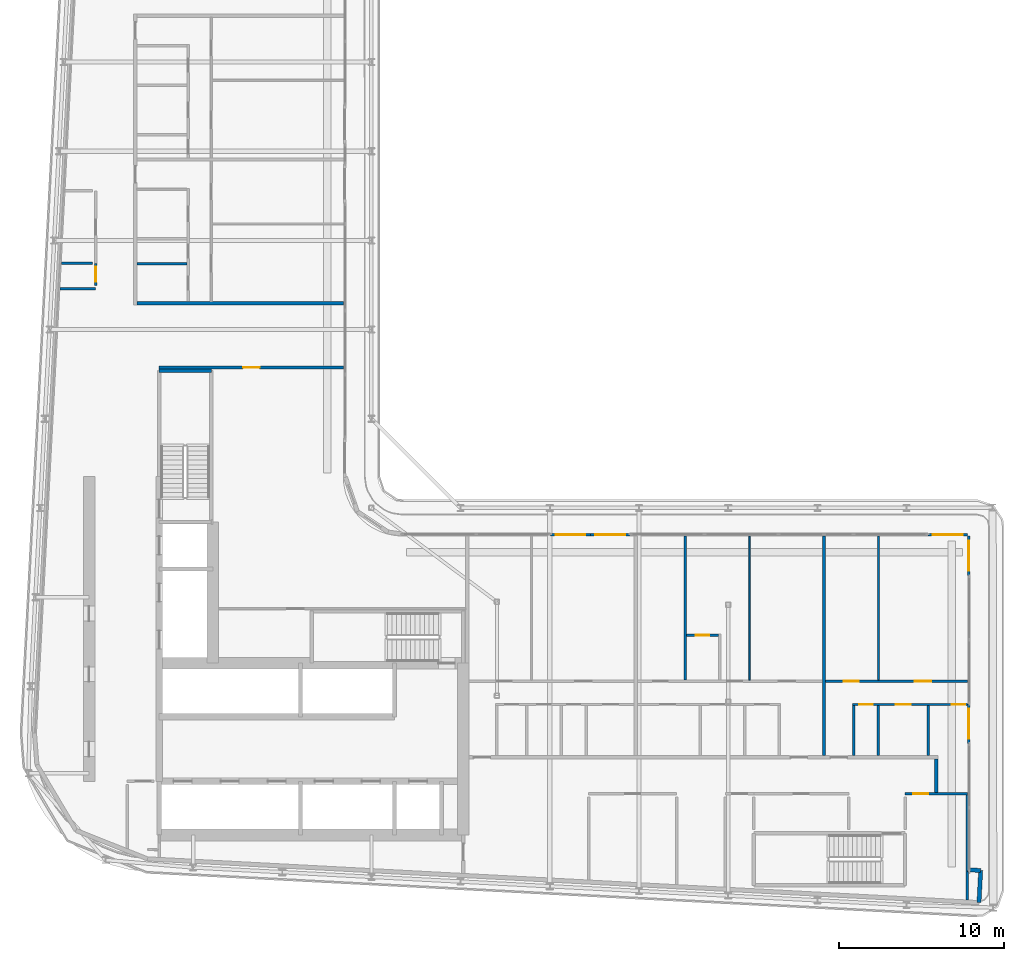
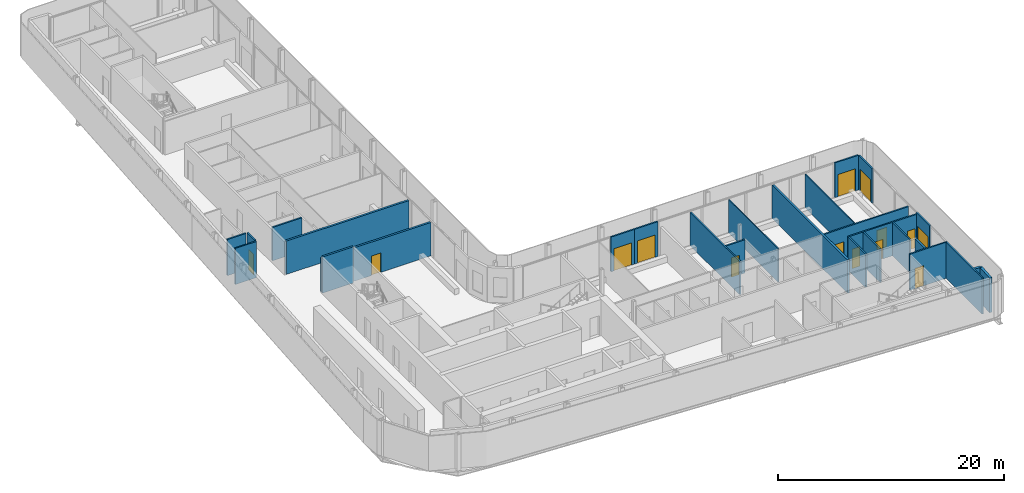
# One storey, part 13 of 23: 27 walls, 14 doors, 14 openings.
"""IFC4 building model written with IfcOpenShell, lengths in metres."""

from ifc_helpers import new_model, si_unit, direction, frame, frame_2d, origin, place, context, subcontext, project, spatial, rectangle, extrude, source, transform, mapped, material, layer, layer_set, type_object, element, fill, save


model = new_model("IFC4")

# Units and contexts
model_context = context("Model", 3, precision=1e-05, world=origin(), true_north=direction((0.0, 1.0)))
body_context = subcontext(model_context, "Body", "Model", "MODEL_VIEW")
ifc_project = project(units=[si_unit("LENGTHUNIT", "METRE"), si_unit("AREAUNIT", "SQUARE_METRE"), si_unit("VOLUMEUNIT", "CUBIC_METRE"), si_unit("PLANEANGLEUNIT", "RADIAN"), si_unit("MASSUNIT", "GRAM", prefix="KILO")], contexts=[model_context])

# Site, building, storey
site_placement = place(None, origin())
site = spatial("IfcSite", under=ifc_project, at=site_placement, CompositionType="ELEMENT")
building_placement = place(site_placement, origin())
building = spatial("IfcBuilding", under=site, at=building_placement, Name="Kheshtan School and Residences Tower", CompositionType="ELEMENT")
storey_placement = place(building_placement, frame((0.0, 0.0, 247.39990234375)))
storey = spatial("IfcBuildingStorey", under=building, at=storey_placement, Name="L58", CompositionType="ELEMENT", Elevation=247.39990234375)

# Wall
ifc_material_1 = material(Name="Gypsum board on steel studs with fire boards", Category="steel")
ifc_layer_1 = layer(ifc_material_1, 0.199951171875)
ifc_layer_set_1 = layer_set([ifc_layer_1], Name="Corridor wall 200")
wall_type_1 = type_object("IfcWallType", Name="Corridor wall 200", PredefinedType="PARTITIONING", material=ifc_layer_set_1)
wall_1_placement = place(storey_placement, frame((33.39990234375, 58.0, 0.0), z_axis=(0.0, 0.0, 1.0), x_axis=(1.0, 0.0, 0.0)))
element("IfcWall", 1, at=wall_1_placement, inside=storey, type_object=wall_type_1, Name="Partition L58-006", PredefinedType="PARTITIONING", context=body_context, shape_type="SweptSolid", body=[
    extrude(rectangle(XDim=12.5, YDim=0.199951171875, at=frame_2d((6.25, 0.0))), origin(), (0.0, 0.0, 1.0), 3.60009765625),
])

# Wall, opening, door
wall_2_placement = place(storey_placement, frame((34.75, 54.10009765625, 0.0), z_axis=(0.0, 0.0, 1.0), x_axis=(1.0, 0.0, 0.0)))
wall_2 = element("IfcWall", 2, at=wall_2_placement, inside=storey, type_object=wall_type_1, Name="Partition L58-019", PredefinedType="PARTITIONING", context=body_context, shape_type="SweptSolid", body=[
    extrude(rectangle(XDim=11.14990234375, YDim=0.199951171875, at=frame_2d((5.574951171875, 0.0))), origin(), (0.0, 0.0, 1.0), 3.60009765625),
])
opening_1_placement = place(wall_2_placement, frame((5.074951171875, 0.0, 0.0)))
opening_1 = element("IfcOpeningElement", 3, at=opening_1_placement, cuts=wall_2, Name="Opening D58-042", PredefinedType="OPENING", context=body_context, shape_type="SweptSolid", body=[
    extrude(rectangle(XDim=1.0, YDim=2.10009765625, at=frame_2d((0.5, 1.050048828125))), frame((0.0, 0.10986328125, 0.0), z_axis=(0.0, -1.0, 0.0), x_axis=(1.0, 0.0, 0.0)), (0.0, 0.0, 1.0), 0.219970703125),
])
ifc_material_2 = material(Name="Steel-framed fire-resisting door leaf", Category="steel")
door_type_1 = type_object("IfcDoorType", Name="Fire door FD60 1000 x 2100", OperationType="SINGLE_SWING_LEFT", PredefinedType="DOOR", material=ifc_material_2)
shared_shape_1 = source(origin(), body_context, "Body", "SweptSolid", [
    extrude(rectangle(XDim=1.0, YDim=2.10009765625, at=frame_2d((0.5, 1.050048828125))), frame((0.0, 0.02490234375, 0.0), z_axis=(0.0, -1.0, 0.0), x_axis=(1.0, 0.0, 0.0)), (0.0, 0.0, 1.0), 0.050048828125),
])
door_1_placement = place(opening_1_placement, origin())
door_1 = element("IfcDoor", 4, at=door_1_placement, inside=storey, type_object=door_type_1, Name="Door D58-042", OperationType="SINGLE_SWING_RIGHT", OverallHeight=2.10009765625, OverallWidth=1.0, PredefinedType="DOOR", context=body_context, shape_type="MappedRepresentation", body=[
    mapped(shared_shape_1, transform((0.0, 0.0, 0.0), x_axis=(1.0, 0.0, 0.0), y_axis=(0.0, 1.0, 0.0), z_axis=(0.0, 0.0, 1.0), scale=1.0)),
])
fill(opening_1, door_1)

# Walls
wall_3_placement = place(storey_placement, frame((81.800048828125, 28.3740234375, 0.0), z_axis=(0.0, 0.0, 1.0), x_axis=(0.0, 1.0, 0.0)))
element("IfcWall", 5, at=wall_3_placement, inside=storey, type_object=wall_type_1, Name="Partition L58-058", PredefinedType="PARTITIONING", context=body_context, shape_type="SweptSolid", body=[
    extrude(rectangle(XDim=2.02587890625, YDim=0.199951171875, at=frame_2d((1.012939453125, 0.0))), origin(), (0.0, 0.0, 1.0), 3.60009765625),
])
ifc_material_3 = material(Name="Concrete C40/50 with ceramic cladding and mineral wool insulation", Category="concrete")
ifc_layer_2 = layer(ifc_material_3, 0.25)
ifc_layer_set_2 = layer_set([ifc_layer_2], Name="External wall 250 ceramic clad")
wall_type_2 = type_object("IfcWallType", Name="External wall 250 ceramic clad", PredefinedType="SOLIDWALL", material=ifc_layer_set_2)
wall_4_placement = place(storey_placement, frame((83.70703125, 23.69189453125, 0.0), z_axis=(0.0, 0.0, 1.0), x_axis=(0.998561284263, -0.053622398031, 0.0)))
element("IfcWall", 6, at=wall_4_placement, inside=storey, type_object=wall_type_2, Name="External wall L58 14", PredefinedType="SOLIDWALL", context=body_context, shape_type="SweptSolid", body=[
    extrude(rectangle(XDim=0.783203125, YDim=0.25, at=frame_2d((0.3916015625, 0.0))), origin(), (0.0, 0.0, 1.0), 3.75),
])
wall_5_placement = place(storey_placement, frame((84.489013671875, 23.64990234375, 0.0), z_axis=(0.0, 0.0, 1.0), x_axis=(-0.052841433274, -0.998602915542, 0.0)))
element("IfcWall", 7, at=wall_5_placement, inside=storey, type_object=wall_type_2, Name="External wall L58 15", PredefinedType="SOLIDWALL", context=body_context, shape_type="SweptSolid", body=[
    extrude(rectangle(XDim=1.94970703125, YDim=0.25, at=frame_2d((0.974853515625, 0.0))), origin(), (0.0, 0.0, 1.0), 3.75),
])

# Wall, opening, door
ifc_material_4 = material(Name="Aluminium frame wall with insulated infill", Category="aluminium")
ifc_layer_3 = layer(ifc_material_4, 0.14990234375)
ifc_layer_set_3 = layer_set([ifc_layer_3], Name="Glazing frame wall 150")
wall_type_3 = type_object("IfcWallType", Name="Glazing frame wall 150", PredefinedType="SOLIDWALL", material=ifc_layer_set_3)
wall_6_placement = place(storey_placement, frame((58.452880859375, 43.97509765625, 0.0), z_axis=(0.0, 0.0, 1.0), x_axis=(1.0, 0.0, 0.0)))
wall_6 = element("IfcWall", 8, at=wall_6_placement, inside=storey, type_object=wall_type_3, Name="Balcony door wall L58 12.1", PredefinedType="SOLIDWALL", context=body_context, shape_type="SweptSolid", body=[
    extrude(rectangle(XDim=2.400146484375, YDim=0.14990234375, at=frame_2d((1.2001953125, 0.0))), origin(), (0.0, 0.0, 1.0), 3.75),
])
opening_2_placement = place(wall_6_placement, frame((0.300048828125, 0.0, 0.0)))
opening_2 = element("IfcOpeningElement", 9, at=opening_2_placement, cuts=wall_6, Name="Opening BD", PredefinedType="OPENING", context=body_context, shape_type="SweptSolid", body=[
    extrude(rectangle(XDim=1.800048828125, YDim=2.39990234375, at=frame_2d((0.89990234375, 1.199951171875))), frame((0.0, 0.0849609375, 0.0), z_axis=(0.0, -1.0, 0.0), x_axis=(1.0, 0.0, 0.0)), (0.0, 0.0, 1.0), 0.169921875),
])
ifc_material_5 = material(Name="Clear low-e glass in thermally broken aluminium frame", Category="aluminium")
door_type_2 = type_object("IfcDoorType", Name="Balcony sliding door", OperationType="SLIDING_TO_LEFT", PredefinedType="DOOR", material=ifc_material_5)
shared_shape_2 = source(origin(), body_context, "Body", "SweptSolid", [
    extrude(rectangle(XDim=1.800048828125, YDim=2.39990234375, at=frame_2d((0.89990234375, 1.199951171875))), frame((0.0, 0.02490234375, 0.0), z_axis=(0.0, -1.0, 0.0), x_axis=(1.0, 0.0, 0.0)), (0.0, 0.0, 1.0), 0.050048828125),
])
door_2_placement = place(opening_2_placement, origin())
door_2 = element("IfcDoor", 10, at=door_2_placement, inside=storey, type_object=door_type_2, Name="Balcony door L58 12.1", OperationType="SLIDING_TO_LEFT", OverallHeight=2.39990234375, OverallWidth=1.800048828125, PredefinedType="DOOR", context=body_context, shape_type="MappedRepresentation", body=[
    mapped(shared_shape_2, transform((0.0, 0.0, 0.0), x_axis=(1.0, 0.0, 0.0), y_axis=(0.0, 1.0, 0.0), z_axis=(0.0, 0.0, 1.0), scale=1.0)),
])
fill(opening_2, door_2)

wall_7_placement = place(storey_placement, frame((60.85302734375, 43.97509765625, 0.0), z_axis=(0.0, 0.0, 1.0), x_axis=(1.0, 0.0, 0.0)))
wall_7 = element("IfcWall", 11, at=wall_7_placement, inside=storey, type_object=wall_type_3, Name="Balcony door wall L58 12.2", PredefinedType="SOLIDWALL", context=body_context, shape_type="SweptSolid", body=[
    extrude(rectangle(XDim=2.39990234375, YDim=0.14990234375, at=frame_2d((1.199951171875, 0.0))), origin(), (0.0, 0.0, 1.0), 3.75),
])
opening_3_placement = place(wall_7_placement, frame((0.300048828125, 0.0, 0.0)))
opening_3 = element("IfcOpeningElement", 12, at=opening_3_placement, cuts=wall_7, Name="Opening BD", PredefinedType="OPENING", context=body_context, shape_type="SweptSolid", body=[
    extrude(rectangle(XDim=1.800048828125, YDim=2.39990234375, at=frame_2d((0.89990234375, 1.199951171875))), frame((0.0, 0.0849609375, 0.0), z_axis=(0.0, -1.0, 0.0), x_axis=(1.0, 0.0, 0.0)), (0.0, 0.0, 1.0), 0.169921875),
])
door_3_placement = place(opening_3_placement, origin())
door_3 = element("IfcDoor", 13, at=door_3_placement, inside=storey, type_object=door_type_2, Name="Balcony door L58 12.2", OperationType="SLIDING_TO_LEFT", OverallHeight=2.39990234375, OverallWidth=1.800048828125, PredefinedType="DOOR", context=body_context, shape_type="MappedRepresentation", body=[
    mapped(shared_shape_2, transform((0.0, 0.0, 0.0), x_axis=(1.0, 0.0, 0.0), y_axis=(0.0, 1.0, 0.0), z_axis=(0.0, 0.0, 1.0), scale=1.0)),
])
fill(opening_3, door_3)

wall_8_placement = place(storey_placement, frame((81.300048828125, 43.97509765625, 0.0), z_axis=(0.0, 0.0, 1.0), x_axis=(1.0, 0.0, 0.0)))
wall_8 = element("IfcWall", 14, at=wall_8_placement, inside=storey, type_object=wall_type_3, Name="Balcony door wall L58 12.3", PredefinedType="SOLIDWALL", context=body_context, shape_type="SweptSolid", body=[
    extrude(rectangle(XDim=2.39990234375, YDim=0.14990234375, at=frame_2d((1.199951171875, 0.0))), origin(), (0.0, 0.0, 1.0), 3.75),
])
opening_4_placement = place(wall_8_placement, frame((0.300048828125, 0.0, 0.0)))
opening_4 = element("IfcOpeningElement", 15, at=opening_4_placement, cuts=wall_8, Name="Opening BD", PredefinedType="OPENING", context=body_context, shape_type="SweptSolid", body=[
    extrude(rectangle(XDim=1.800048828125, YDim=2.39990234375, at=frame_2d((0.89990234375, 1.199951171875))), frame((0.0, 0.0849609375, 0.0), z_axis=(0.0, -1.0, 0.0), x_axis=(1.0, 0.0, 0.0)), (0.0, 0.0, 1.0), 0.169921875),
])
door_4_placement = place(opening_4_placement, origin())
door_4 = element("IfcDoor", 16, at=door_4_placement, inside=storey, type_object=door_type_2, Name="Balcony door L58 12.3", OperationType="SLIDING_TO_LEFT", OverallHeight=2.39990234375, OverallWidth=1.800048828125, PredefinedType="DOOR", context=body_context, shape_type="MappedRepresentation", body=[
    mapped(shared_shape_2, transform((0.0, 0.0, 0.0), x_axis=(1.0, 0.0, 0.0), y_axis=(0.0, 1.0, 0.0), z_axis=(0.0, 0.0, 1.0), scale=1.0)),
])
fill(opening_4, door_4)

wall_9_placement = place(storey_placement, frame((83.77490234375, 43.89990234375, 0.0), z_axis=(0.0, 0.0, 1.0), x_axis=(0.0, -1.0, 0.0)))
wall_9 = element("IfcWall", 17, at=wall_9_placement, inside=storey, type_object=wall_type_3, Name="Balcony door wall L58 13.1", PredefinedType="SOLIDWALL", context=body_context, shape_type="SweptSolid", body=[
    extrude(rectangle(XDim=2.39990234375, YDim=0.14990234375, at=frame_2d((1.199951171875, 0.0))), origin(), (0.0, 0.0, 1.0), 3.75),
])
opening_5_placement = place(wall_9_placement, frame((0.300048828125, 0.0, 0.0)))
opening_5 = element("IfcOpeningElement", 18, at=opening_5_placement, cuts=wall_9, Name="Opening BD", PredefinedType="OPENING", context=body_context, shape_type="SweptSolid", body=[
    extrude(rectangle(XDim=1.800048828125, YDim=2.39990234375, at=frame_2d((0.89990234375, 1.199951171875))), frame((0.0, 0.0849609375, 0.0), z_axis=(0.0, -1.0, 0.0), x_axis=(1.0, 0.0, 0.0)), (0.0, 0.0, 1.0), 0.169921875),
])
door_5_placement = place(opening_5_placement, origin())
door_5 = element("IfcDoor", 19, at=door_5_placement, inside=storey, type_object=door_type_2, Name="Balcony door L58 13.1", OperationType="SLIDING_TO_LEFT", OverallHeight=2.39990234375, OverallWidth=1.800048828125, PredefinedType="DOOR", context=body_context, shape_type="MappedRepresentation", body=[
    mapped(shared_shape_2, transform((0.0, 0.0, 0.0), x_axis=(1.0, 0.0, 0.0), y_axis=(0.0, 1.0, 0.0), z_axis=(0.0, 0.0, 1.0), scale=1.0)),
])
fill(opening_5, door_5)

wall_10_placement = place(storey_placement, frame((83.77490234375, 33.73291015625, 0.0), z_axis=(0.0, 0.0, 1.0), x_axis=(0.0, -1.0, 0.0)))
wall_10 = element("IfcWall", 20, at=wall_10_placement, inside=storey, type_object=wall_type_3, Name="Balcony door wall L58 13.2", PredefinedType="SOLIDWALL", context=body_context, shape_type="SweptSolid", body=[
    extrude(rectangle(XDim=2.39892578125, YDim=0.14990234375, at=frame_2d((1.199462890625, 0.0))), origin(), (0.0, 0.0, 1.0), 3.75),
])
opening_6_placement = place(wall_10_placement, frame((0.300048828125, 0.0, 0.0)))
opening_6 = element("IfcOpeningElement", 21, at=opening_6_placement, cuts=wall_10, Name="Opening BD", PredefinedType="OPENING", context=body_context, shape_type="SweptSolid", body=[
    extrude(rectangle(XDim=1.800048828125, YDim=2.39990234375, at=frame_2d((0.89990234375, 1.199951171875))), frame((0.0, 0.0849609375, 0.0), z_axis=(0.0, -1.0, 0.0), x_axis=(1.0, 0.0, 0.0)), (0.0, 0.0, 1.0), 0.169921875),
])
door_6_placement = place(opening_6_placement, origin())
door_6 = element("IfcDoor", 22, at=door_6_placement, inside=storey, type_object=door_type_2, Name="Balcony door L58 13.2", OperationType="SLIDING_TO_LEFT", OverallHeight=2.39990234375, OverallWidth=1.800048828125, PredefinedType="DOOR", context=body_context, shape_type="MappedRepresentation", body=[
    mapped(shared_shape_2, transform((0.0, 0.0, 0.0), x_axis=(1.0, 0.0, 0.0), y_axis=(0.0, 1.0, 0.0), z_axis=(0.0, 0.0, 1.0), scale=1.0)),
])
fill(opening_6, door_6)

# Walls
ifc_material_6 = material(Name="Gypsum board on steel studs", Category="steel")
ifc_layer_4 = layer(ifc_material_6, 0.10009765625)
ifc_layer_set_4 = layer_set([ifc_layer_4], Name="Gypsum partition 100")
wall_type_4 = type_object("IfcWallType", Name="Gypsum partition 100", PredefinedType="PARTITIONING", material=ifc_layer_set_4)
for number, where, z_axis, x_axis, name in (
    (23, (70.5, 35.175048828125, 0.0), (0.0, 0.0, 1.0), (0.0, 1.0, 0.0), "Partition L58-049"),
    (24, (78.300048828125, 35.175048828125, 0.0), (0.0, 0.0, 1.0), (0.0, 1.0, 0.0), "Partition L58-056"),
):
    element("IfcWall", number, at=place(storey_placement, frame(where, z_axis=z_axis, x_axis=x_axis)), inside=storey, type_object=wall_type_4, Name=name, PredefinedType="PARTITIONING", context=body_context, shape_type="SweptSolid", body=[
        extrude(rectangle(XDim=8.724853515625, YDim=0.10009765625, at=frame_2d((4.3623046875, 0.0))), origin(), (0.0, 0.0, 1.0), 3.60009765625),
    ])
ifc_material_7 = material(Name="Fire-board shaft wall system")
ifc_layer_5 = layer(ifc_material_7, 0.14990234375)
ifc_layer_set_5 = layer_set([ifc_layer_5], Name="Service room wall 150")
wall_type_5 = type_object("IfcWallType", Name="Service room wall 150", PredefinedType="PARTITIONING", material=ifc_layer_set_5)
wall_11_placement = place(storey_placement, frame((28.738037109375, 58.8720703125, 0.0), z_axis=(0.0, 0.0, 1.0), x_axis=(1.0, 0.0, 0.0)))
element("IfcWall", 25, at=wall_11_placement, inside=storey, type_object=wall_type_5, Name="Service room wall", PredefinedType="PARTITIONING", context=body_context, shape_type="SweptSolid", body=[
    extrude(rectangle(XDim=2.161865234375, YDim=0.14990234375, at=frame_2d((1.0810546875, 0.0))), origin(), (0.0, 0.0, 1.0), 3.900146484375),
])

# Wall, opening, door
wall_12_placement = place(storey_placement, frame((30.89990234375, 59.06689453125, 0.0), z_axis=(0.0, 0.0, 1.0), x_axis=(0.0, 1.0, 0.0)))
wall_12 = element("IfcWall", 26, at=wall_12_placement, inside=storey, type_object=wall_type_5, Name="Service room wall", PredefinedType="PARTITIONING", context=body_context, shape_type="SweptSolid", body=[
    extrude(rectangle(XDim=1.34716796875, YDim=0.14990234375, at=frame_2d((0.673583984375, 0.0))), origin(), (0.0, 0.0, 1.0), 3.900146484375),
])
opening_7_placement = place(wall_12_placement, frame((0.22607421875, 0.0, 0.0)))
opening_7 = element("IfcOpeningElement", 27, at=opening_7_placement, cuts=wall_12, Name="Opening SR90", PredefinedType="OPENING", context=body_context, shape_type="SweptSolid", body=[
    extrude(rectangle(XDim=0.89990234375, YDim=2.199951171875, at=frame_2d((0.449951171875, 1.10009765625))), frame((0.0, 0.0849609375, 0.0), z_axis=(0.0, -1.0, 0.0), x_axis=(1.0, 0.0, 0.0)), (0.0, 0.0, 1.0), 0.169921875),
])
ifc_material_8 = material(Name="Steel door leaf, galvanised", Category="steel")
door_type_3 = type_object("IfcDoorType", Name="Service room door 900 steel 90 min", OperationType="SINGLE_SWING_LEFT", PredefinedType="DOOR", material=ifc_material_8)
shared_shape_3 = source(origin(), body_context, "Body", "SweptSolid", [
    extrude(rectangle(XDim=0.89990234375, YDim=2.199951171875, at=frame_2d((0.449951171875, 1.10009765625))), frame((0.0, 0.02490234375, 0.0), z_axis=(0.0, -1.0, 0.0), x_axis=(1.0, 0.0, 0.0)), (0.0, 0.0, 1.0), 0.050048828125),
])
door_7_placement = place(opening_7_placement, origin())
door_7 = element("IfcDoor", 28, at=door_7_placement, inside=storey, type_object=door_type_3, Name="Service room door", OperationType="SINGLE_SWING_LEFT", OverallHeight=2.199951171875, OverallWidth=0.89990234375, PredefinedType="DOOR", context=body_context, shape_type="MappedRepresentation", body=[
    mapped(shared_shape_3, transform((0.0, 0.0, 0.0), x_axis=(1.0, 0.0, 0.0), y_axis=(0.0, 1.0, 0.0), z_axis=(0.0, 0.0, 1.0), scale=1.0)),
])
fill(opening_7, door_7)

# Walls
wall_13_placement = place(storey_placement, frame((28.820068359375, 60.4140625, 0.0), z_axis=(0.0, 0.0, 1.0), x_axis=(1.0, 0.0, 0.0)))
element("IfcWall", 29, at=wall_13_placement, inside=storey, type_object=wall_type_5, Name="Service room wall", PredefinedType="PARTITIONING", context=body_context, shape_type="SweptSolid", body=[
    extrude(rectangle(XDim=1.885009765625, YDim=0.14990234375, at=frame_2d((0.9423828125, 0.0))), origin(), (0.0, 0.0, 1.0), 3.900146484375),
])
wall_14_placement = place(storey_placement, frame((83.669921875, 21.867919921875, 0.0), z_axis=(0.0, 0.0, 1.0), x_axis=(0.0, 1.0, 0.0)))
element("IfcWall", 30, at=wall_14_placement, inside=storey, type_object=wall_type_5, Name="Service room wall", PredefinedType="PARTITIONING", context=body_context, shape_type="SweptSolid", body=[
    extrude(rectangle(XDim=6.43212890625, YDim=0.14990234375, at=frame_2d((3.216064453125, 0.0))), origin(), (0.0, 0.0, 1.0), 3.900146484375),
])

# Wall, opening, door
wall_15_placement = place(storey_placement, frame((79.909912109375, 28.300048828125, 0.0), z_axis=(0.0, 0.0, 1.0), x_axis=(1.0, 0.0, 0.0)))
wall_15 = element("IfcWall", 31, at=wall_15_placement, inside=storey, type_object=wall_type_5, Name="Service room wall", PredefinedType="PARTITIONING", context=body_context, shape_type="SweptSolid", body=[
    extrude(rectangle(XDim=3.7880859375, YDim=0.14990234375, at=frame_2d((1.89404296875, 0.0))), origin(), (0.0, 0.0, 1.0), 3.900146484375),
])
opening_8_placement = place(wall_15_placement, frame((0.4951171875, 0.0, 0.0)))
opening_8 = element("IfcOpeningElement", 32, at=opening_8_placement, cuts=wall_15, Name="Opening SR90", PredefinedType="OPENING", context=body_context, shape_type="SweptSolid", body=[
    extrude(rectangle(XDim=0.89990234375, YDim=2.199951171875, at=frame_2d((0.449951171875, 1.10009765625))), frame((0.0, 0.0849609375, 0.0), z_axis=(0.0, -1.0, 0.0), x_axis=(1.0, 0.0, 0.0)), (0.0, 0.0, 1.0), 0.169921875),
])
door_8_placement = place(opening_8_placement, origin())
door_8 = element("IfcDoor", 33, at=door_8_placement, inside=storey, type_object=door_type_3, Name="Service room door", OperationType="SINGLE_SWING_RIGHT", OverallHeight=2.199951171875, OverallWidth=0.89990234375, PredefinedType="DOOR", context=body_context, shape_type="MappedRepresentation", body=[
    mapped(shared_shape_3, transform((0.0, 0.0, 0.0), x_axis=(1.0, 0.0, 0.0), y_axis=(0.0, 1.0, 0.0), z_axis=(0.0, 0.0, 1.0), scale=1.0)),
])
fill(opening_8, door_8)

# Walls
ifc_material_9 = material(Name="Concrete C40/50", Category="concrete")
ifc_layer_6 = layer(ifc_material_9, 0.199951171875)
ifc_layer_set_6 = layer_set([ifc_layer_6], Name="Stair enclosure wall 200 Concrete C40/50")
wall_type_6 = type_object("IfcWallType", Name="Stair enclosure wall 200 Concrete C40/50", PredefinedType="SHEAR", material=ifc_layer_set_6)
wall_16_placement = place(storey_placement, frame((34.75, 53.909912109375, 0.0), z_axis=(0.0, 0.0, 1.0), x_axis=(1.0, 0.0, 0.0)))
element("IfcWall", 34, at=wall_16_placement, inside=storey, type_object=wall_type_6, Name="Stair enclosure wall ST2", PredefinedType="SHEAR", context=body_context, shape_type="SweptSolid", body=[
    extrude(rectangle(XDim=3.14990234375, YDim=0.199951171875, at=frame_2d((1.574951171875, 0.0))), origin(), (0.0, 0.0, 1.0), 3.900146484375),
])
ifc_material_10 = material(Name="Twin gypsum board on steel studs with mineral wool", Category="steel")
ifc_layer_7 = layer(ifc_material_10, 0.199951171875)
ifc_layer_set_7 = layer_set([ifc_layer_7], Name="Unit demising wall 200")
wall_type_7 = type_object("IfcWallType", Name="Unit demising wall 200", PredefinedType="PARTITIONING", material=ifc_layer_set_7)
wall_17_placement = place(storey_placement, frame((75.0, 30.60009765625, 0.0), z_axis=(0.0, 0.0, 1.0), x_axis=(0.0, 1.0, 0.0)))
element("IfcWall", 35, at=wall_17_placement, inside=storey, type_object=wall_type_7, Name="Partition L58-051", PredefinedType="PARTITIONING", context=body_context, shape_type="SweptSolid", body=[
    extrude(rectangle(XDim=13.2998046875, YDim=0.199951171875, at=frame_2d((6.64990234375, 0.0))), origin(), (0.0, 0.0, 1.0), 3.60009765625),
])
ifc_material_11 = material(Name="Moisture-resistant gypsum board on steel studs", Category="steel")
ifc_layer_8 = layer(ifc_material_11, 0.14990234375)
ifc_layer_set_8 = layer_set([ifc_layer_8], Name="Wet-room partition 150")
wall_type_8 = type_object("IfcWallType", Name="Wet-room partition 150", PredefinedType="PARTITIONING", material=ifc_layer_set_8)
wall_18_placement = place(storey_placement, frame((33.39990234375, 60.39990234375, 0.0), z_axis=(0.0, 0.0, 1.0), x_axis=(1.0, 0.0, 0.0)))
element("IfcWall", 36, at=wall_18_placement, inside=storey, type_object=wall_type_8, Name="Partition L58-007", PredefinedType="PARTITIONING", context=body_context, shape_type="SweptSolid", body=[
    extrude(rectangle(XDim=3.025146484375, YDim=0.14990234375, at=frame_2d((1.5126953125, 0.0))), origin(), (0.0, 0.0, 1.0), 3.60009765625),
])
wall_19_placement = place(storey_placement, frame((66.60009765625, 35.175048828125, 0.0), z_axis=(0.0, 0.0, 1.0), x_axis=(0.0, 1.0, 0.0)))
element("IfcWall", 37, at=wall_19_placement, inside=storey, type_object=wall_type_8, Name="Partition L58-044", PredefinedType="PARTITIONING", context=body_context, shape_type="SweptSolid", body=[
    extrude(rectangle(XDim=8.724853515625, YDim=0.14990234375, at=frame_2d((4.3623046875, 0.0))), origin(), (0.0, 0.0, 1.0), 3.60009765625),
])

# Wall, opening, door
wall_20_placement = place(storey_placement, frame((66.675048828125, 37.89990234375, 0.0), z_axis=(0.0, 0.0, 1.0), x_axis=(1.0, 0.0, 0.0)))
wall_20 = element("IfcWall", 38, at=wall_20_placement, inside=storey, type_object=wall_type_8, Name="Partition L58-045", PredefinedType="PARTITIONING", context=body_context, shape_type="SweptSolid", body=[
    extrude(rectangle(XDim=1.949951171875, YDim=0.14990234375, at=frame_2d((0.97509765625, 0.0))), origin(), (0.0, 0.0, 1.0), 3.60009765625),
])
opening_9_placement = place(wall_20_placement, frame((0.574951171875, 0.0, 0.0)))
opening_9 = element("IfcOpeningElement", 39, at=opening_9_placement, cuts=wall_20, Name="Opening D58-010", PredefinedType="OPENING", context=body_context, shape_type="SweptSolid", body=[
    extrude(rectangle(XDim=0.800048828125, YDim=2.10009765625, at=frame_2d((0.39990234375, 1.050048828125))), frame((0.0, 0.0849609375, 0.0), z_axis=(0.0, -1.0, 0.0), x_axis=(1.0, 0.0, 0.0)), (0.0, 0.0, 1.0), 0.169921875),
])
ifc_material_12 = material(Name="Veneered timber door leaf", Category="wood")
door_type_4 = type_object("IfcDoorType", Name="Door 800 x 2100", OperationType="SINGLE_SWING_LEFT", PredefinedType="DOOR", material=ifc_material_12)
shared_shape_4 = source(origin(), body_context, "Body", "SweptSolid", [
    extrude(rectangle(XDim=0.800048828125, YDim=2.10009765625, at=frame_2d((0.39990234375, 1.050048828125))), frame((0.0, 0.02490234375, 0.0), z_axis=(0.0, -1.0, 0.0), x_axis=(1.0, 0.0, 0.0)), (0.0, 0.0, 1.0), 0.050048828125),
])
door_9_placement = place(opening_9_placement, origin())
door_9 = element("IfcDoor", 40, at=door_9_placement, inside=storey, type_object=door_type_4, Name="Door D58-010", OperationType="SINGLE_SWING_LEFT", OverallHeight=2.10009765625, OverallWidth=0.800048828125, PredefinedType="DOOR", context=body_context, shape_type="MappedRepresentation", body=[
    mapped(shared_shape_4, transform((0.0, 0.0, 0.0), x_axis=(1.0, 0.0, 0.0), y_axis=(0.0, 1.0, 0.0), z_axis=(0.0, 0.0, 1.0), scale=1.0)),
])
fill(opening_9, door_9)

# Wall, openings, doors
wall_21_placement = place(storey_placement, frame((75.10009765625, 35.10009765625, 0.0), z_axis=(0.0, 0.0, 1.0), x_axis=(1.0, 0.0, 0.0)))
wall_21 = element("IfcWall", 41, at=wall_21_placement, inside=storey, type_object=wall_type_8, Name="Partition L58-052", PredefinedType="PARTITIONING", context=body_context, shape_type="SweptSolid", body=[
    extrude(rectangle(XDim=8.599853515625, YDim=0.14990234375, at=frame_2d((4.2998046875, 0.0))), origin(), (0.0, 0.0, 1.0), 3.60009765625),
])
opening_10_placement = place(wall_21_placement, frame((1.10009765625, 0.0, 0.0)))
opening_10 = element("IfcOpeningElement", 42, at=opening_10_placement, cuts=wall_21, Name="Opening D58-017", PredefinedType="OPENING", context=body_context, shape_type="SweptSolid", body=[
    extrude(rectangle(XDim=0.89990234375, YDim=2.10009765625, at=frame_2d((0.449951171875, 1.050048828125))), frame((0.0, 0.0849609375, 0.0), z_axis=(0.0, -1.0, 0.0), x_axis=(1.0, 0.0, 0.0)), (0.0, 0.0, 1.0), 0.169921875),
])
opening_11_placement = place(wall_21_placement, frame((5.39990234375, 0.0, 0.0)))
opening_11 = element("IfcOpeningElement", 43, at=opening_11_placement, cuts=wall_21, Name="Opening D58-020", PredefinedType="OPENING", context=body_context, shape_type="SweptSolid", body=[
    extrude(rectangle(XDim=1.0, YDim=2.10009765625, at=frame_2d((0.5, 1.050048828125))), frame((0.0, 0.0849609375, 0.0), z_axis=(0.0, -1.0, 0.0), x_axis=(1.0, 0.0, 0.0)), (0.0, 0.0, 1.0), 0.169921875),
])
door_type_5 = type_object("IfcDoorType", Name="Door 1000 x 2100", OperationType="SINGLE_SWING_LEFT", PredefinedType="DOOR", material=ifc_material_12)
shared_shape_5 = source(origin(), body_context, "Body", "SweptSolid", [
    extrude(rectangle(XDim=1.0, YDim=2.10009765625, at=frame_2d((0.5, 1.050048828125))), frame((0.0, 0.02490234375, 0.0), z_axis=(0.0, -1.0, 0.0), x_axis=(1.0, 0.0, 0.0)), (0.0, 0.0, 1.0), 0.050048828125),
])
door_10_placement = place(opening_11_placement, origin())
door_10 = element("IfcDoor", 44, at=door_10_placement, inside=storey, type_object=door_type_5, Name="Door D58-020", OperationType="SINGLE_SWING_LEFT", OverallHeight=2.10009765625, OverallWidth=1.0, PredefinedType="DOOR", context=body_context, shape_type="MappedRepresentation", body=[
    mapped(shared_shape_5, transform((0.0, 0.0, 0.0), x_axis=(1.0, 0.0, 0.0), y_axis=(0.0, 1.0, 0.0), z_axis=(0.0, 0.0, 1.0), scale=1.0)),
])
fill(opening_11, door_10)
door_type_6 = type_object("IfcDoorType", Name="Door 900 x 2100", OperationType="SINGLE_SWING_LEFT", PredefinedType="DOOR", material=ifc_material_12)
shared_shape_6 = source(origin(), body_context, "Body", "SweptSolid", [
    extrude(rectangle(XDim=0.89990234375, YDim=2.10009765625, at=frame_2d((0.449951171875, 1.050048828125))), frame((0.0, 0.02490234375, 0.0), z_axis=(0.0, -1.0, 0.0), x_axis=(1.0, 0.0, 0.0)), (0.0, 0.0, 1.0), 0.050048828125),
])
door_11_placement = place(opening_10_placement, origin())
door_11 = element("IfcDoor", 45, at=door_11_placement, inside=storey, type_object=door_type_6, Name="Door D58-017", OperationType="SINGLE_SWING_RIGHT", OverallHeight=2.10009765625, OverallWidth=0.89990234375, PredefinedType="DOOR", context=body_context, shape_type="MappedRepresentation", body=[
    mapped(shared_shape_6, transform((0.0, 0.0, 0.0), x_axis=(1.0, 0.0, 0.0), y_axis=(0.0, 1.0, 0.0), z_axis=(0.0, 0.0, 1.0), scale=1.0)),
])
fill(opening_10, door_11)

wall_22_placement = place(storey_placement, frame((76.72509765625, 33.699951171875, 0.0), z_axis=(0.0, 0.0, 1.0), x_axis=(1.0, 0.0, 0.0)))
wall_22 = element("IfcWall", 46, at=wall_22_placement, inside=storey, type_object=wall_type_8, Name="Partition L58-053", PredefinedType="PARTITIONING", context=body_context, shape_type="SweptSolid", body=[
    extrude(rectangle(XDim=6.974853515625, YDim=0.14990234375, at=frame_2d((3.4873046875, 0.0))), origin(), (0.0, 0.0, 1.0), 3.60009765625),
])
opening_12_placement = place(wall_22_placement, frame((6.02490234375, 0.0, 0.0)))
opening_12 = element("IfcOpeningElement", 47, at=opening_12_placement, cuts=wall_22, Name="Opening D58-016", PredefinedType="OPENING", context=body_context, shape_type="SweptSolid", body=[
    extrude(rectangle(XDim=0.800048828125, YDim=2.10009765625, at=frame_2d((0.39990234375, 1.050048828125))), frame((0.0, 0.0849609375, 0.0), z_axis=(0.0, -1.0, 0.0), x_axis=(1.0, 0.0, 0.0)), (0.0, 0.0, 1.0), 0.169921875),
])
opening_13_placement = place(wall_22_placement, frame((2.625, 0.0, 0.0)))
opening_13 = element("IfcOpeningElement", 48, at=opening_13_placement, cuts=wall_22, Name="Opening D58-019", PredefinedType="OPENING", context=body_context, shape_type="SweptSolid", body=[
    extrude(rectangle(XDim=0.89990234375, YDim=2.10009765625, at=frame_2d((0.449951171875, 1.050048828125))), frame((0.0, 0.0849609375, 0.0), z_axis=(0.0, -1.0, 0.0), x_axis=(1.0, 0.0, 0.0)), (0.0, 0.0, 1.0), 0.169921875),
])
opening_14_placement = place(wall_22_placement, frame((0.425048828125, 0.0, 0.0)))
opening_14 = element("IfcOpeningElement", 49, at=opening_14_placement, cuts=wall_22, Name="Opening D58-021", PredefinedType="OPENING", context=body_context, shape_type="SweptSolid", body=[
    extrude(rectangle(XDim=0.800048828125, YDim=2.10009765625, at=frame_2d((0.39990234375, 1.050048828125))), frame((0.0, 0.0849609375, 0.0), z_axis=(0.0, -1.0, 0.0), x_axis=(1.0, 0.0, 0.0)), (0.0, 0.0, 1.0), 0.169921875),
])
door_12_placement = place(opening_12_placement, origin())
door_12 = element("IfcDoor", 50, at=door_12_placement, inside=storey, type_object=door_type_4, Name="Door D58-016", OperationType="SINGLE_SWING_LEFT", OverallHeight=2.10009765625, OverallWidth=0.800048828125, PredefinedType="DOOR", context=body_context, shape_type="MappedRepresentation", body=[
    mapped(shared_shape_4, transform((0.0, 0.0, 0.0), x_axis=(1.0, 0.0, 0.0), y_axis=(0.0, 1.0, 0.0), z_axis=(0.0, 0.0, 1.0), scale=1.0)),
])
fill(opening_12, door_12)
door_13_placement = place(opening_14_placement, origin())
door_13 = element("IfcDoor", 51, at=door_13_placement, inside=storey, type_object=door_type_4, Name="Door D58-021", OperationType="SINGLE_SWING_LEFT", OverallHeight=2.10009765625, OverallWidth=0.800048828125, PredefinedType="DOOR", context=body_context, shape_type="MappedRepresentation", body=[
    mapped(shared_shape_4, transform((0.0, 0.0, 0.0), x_axis=(1.0, 0.0, 0.0), y_axis=(0.0, 1.0, 0.0), z_axis=(0.0, 0.0, 1.0), scale=1.0)),
])
fill(opening_14, door_13)
door_14_placement = place(opening_13_placement, origin())
door_14 = element("IfcDoor", 52, at=door_14_placement, inside=storey, type_object=door_type_6, Name="Door D58-019", OperationType="SINGLE_SWING_LEFT", OverallHeight=2.10009765625, OverallWidth=0.89990234375, PredefinedType="DOOR", context=body_context, shape_type="MappedRepresentation", body=[
    mapped(shared_shape_6, transform((0.0, 0.0, 0.0), x_axis=(1.0, 0.0, 0.0), y_axis=(0.0, 1.0, 0.0), z_axis=(0.0, 0.0, 1.0), scale=1.0)),
])
fill(opening_13, door_14)

# Walls
for number, where, z_axis, x_axis, name in (
    (53, (76.800048828125, 30.60009765625, 0.0), (0.0, 0.0, 1.0), (0.0, 1.0, 0.0), "Partition L58-054"),
    (54, (78.300048828125, 30.60009765625, 0.0), (0.0, 0.0, 1.0), (0.0, 1.0, 0.0), "Partition L58-055"),
    (55, (81.300048828125, 30.60009765625, 0.0), (0.0, 0.0, 1.0), (0.0, 1.0, 0.0), "Partition L58-057"),
):
    element("IfcWall", number, at=place(storey_placement, frame(where, z_axis=z_axis, x_axis=x_axis)), inside=storey, type_object=wall_type_8, Name=name, PredefinedType="PARTITIONING", context=body_context, shape_type="SweptSolid", body=[
        extrude(rectangle(XDim=3.02490234375, YDim=0.14990234375, at=frame_2d((1.512451171875, 0.0))), origin(), (0.0, 0.0, 1.0), 3.60009765625),
    ])

save(model, "model.ifc")
